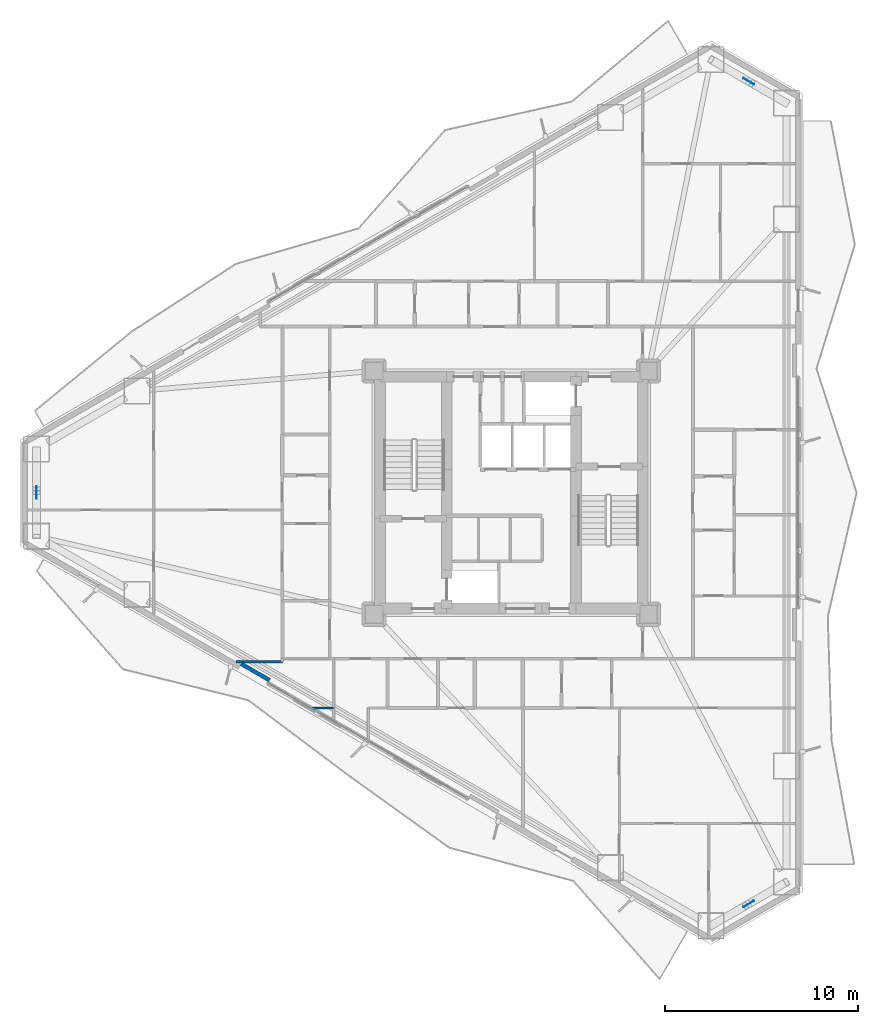
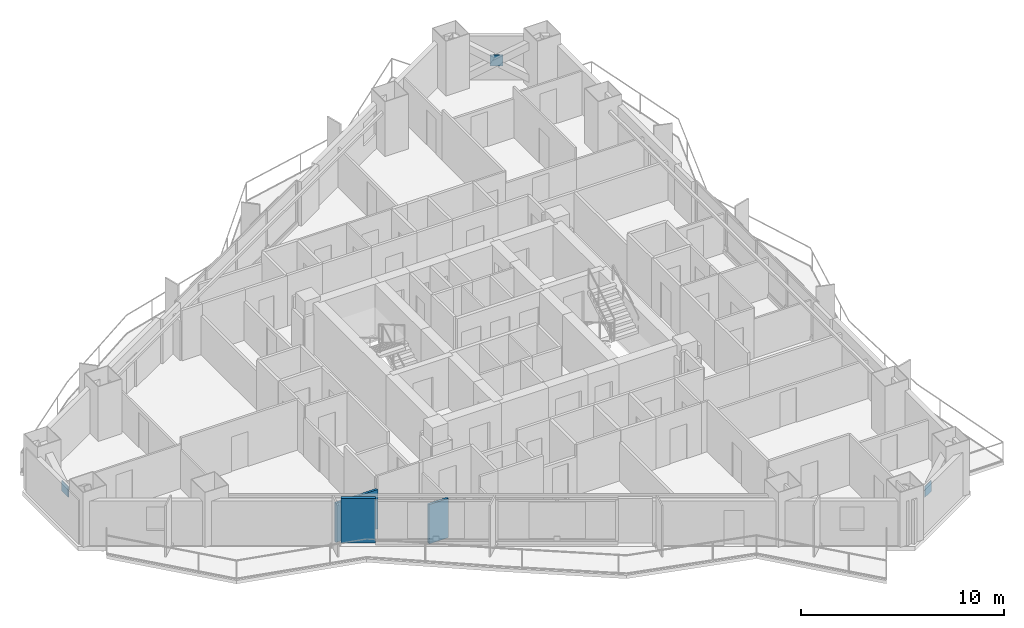
# One storey, part 11 of 19: 3 plates, 3 walls.
"""IFC4 building model written with IfcOpenShell, lengths in metres."""

import ifcopenshell
import ifcopenshell.guid

model = None  # the IFC model being written
_history = None  # IfcOwnerHistory: only IFC2X3 demands one
_inside = {}  # id of a spatial element -> (the spatial element, [elements in it])
_under = {}  # id of a project, library or spatial element -> (it, [spatial elements below it])
_declared = {}  # id of a project -> (the project, [libraries it declares])
_typed = {}  # id of a type object -> (the type object, [elements of that type])
_made_of = {}  # id of a material, layer set ... -> (it, [elements and type objects made of it])


def new_model(schema):
    """Start an empty IFC model of exactly this schema.

    Asked for "IFC4X3", IfcOpenShell would pick the latest addendum, in which some entities
    have other attributes; the version numbers below select the first issue.
    IFC2X3 requires an IfcOwnerHistory on every rooted entity: one is made here for all.
    """
    global model, _history
    if schema == "IFC4X3":
        model = ifcopenshell.file(schema_version=(4, 3, 0, 0))
    else:
        model = ifcopenshell.file(schema=schema)
    _inside.clear()
    _under.clear()
    _declared.clear()
    _typed.clear()
    _made_of.clear()
    _history = None
    if model.schema == "IFC2X3":
        org = make("IfcOrganization", Name="unknown")
        user = make(
            "IfcPersonAndOrganization",
            ThePerson=make("IfcPerson", FamilyName="unknown"),
            TheOrganization=org,
        )
        app = make(
            "IfcApplication",
            ApplicationDeveloper=org,
            Version="unknown",
            ApplicationFullName="unknown",
            ApplicationIdentifier="unknown",
        )
        _history = make(
            "IfcOwnerHistory",
            OwningUser=user,
            OwningApplication=app,
            ChangeAction="ADDED",
            CreationDate=0,
        )
    return model


def make(cls, **values):
    """One entity of the class cls with the attributes given. An attribute that is None is left unset."""
    return model.create_entity(
        cls, **{name: value for name, value in values.items() if value is not None}
    )


def rooted(cls, **values):
    """An entity with a GlobalId (a new one), such as an element, a storey or a relation."""
    return make(cls, GlobalId=ifcopenshell.guid.new(), OwnerHistory=_history, **values)


def si_unit(unit_type, name, prefix=None):
    """IfcSIUnit, for example si_unit("LENGTHUNIT", "METRE", prefix="MILLI")."""
    return make("IfcSIUnit", UnitType=unit_type, Prefix=prefix, Name=name)


def assignment(units):
    """IfcUnitAssignment: the units of a project."""
    return None if units is None else make("IfcUnitAssignment", Units=units)


def point(xyz):
    """IfcCartesianPoint."""
    return None if xyz is None else make("IfcCartesianPoint", Coordinates=xyz)


def direction(xyz):
    """IfcDirection."""
    return None if xyz is None else make("IfcDirection", DirectionRatios=xyz)


def frame(location, z_axis=None, x_axis=None):
    """IfcAxis2Placement3D, a coordinate frame: its origin and axes. An axis left out is left unset."""
    return make(
        "IfcAxis2Placement3D",
        Location=point(location),
        Axis=direction(z_axis),
        RefDirection=direction(x_axis),
    )


def frame_2d(location, x_axis=None):
    """IfcAxis2Placement2D, a coordinate frame in the plane: its origin and x axis."""
    return make(
        "IfcAxis2Placement2D", Location=point(location), RefDirection=direction(x_axis)
    )


def origin():
    """The frame at (0, 0, 0) with its axes left unset."""
    return frame((0.0, 0.0, 0.0))


def origin_2d():
    """The frame at (0, 0) in the plane with its x axis left unset."""
    return frame_2d((0.0, 0.0))


def place(relative_to, where):
    """IfcLocalPlacement: puts the frame where relative to a parent placement (None: the world)."""
    return make(
        "IfcLocalPlacement", PlacementRelTo=relative_to, RelativePlacement=where
    )


def context(
    kind, dimensions, precision=None, world=None, true_north=None, identifier=None
):
    """IfcGeometricRepresentationContext, for example the 3D "Model" context."""
    return make(
        "IfcGeometricRepresentationContext",
        ContextIdentifier=identifier,
        ContextType=kind,
        CoordinateSpaceDimension=dimensions,
        Precision=precision,
        WorldCoordinateSystem=world,
        TrueNorth=true_north,
    )


def subcontext(parent, identifier, kind, view, scale=None):
    """IfcGeometricRepresentationSubContext, for example "Body" below "Model"."""
    return make(
        "IfcGeometricRepresentationSubContext",
        ContextIdentifier=identifier,
        ContextType=kind,
        ParentContext=parent,
        TargetScale=scale,
        TargetView=view,
    )


def project(units=None, contexts=None):
    """IfcProject with its units and contexts."""
    return rooted(
        "IfcProject",
        Name="project",
        RepresentationContexts=contexts,
        UnitsInContext=assignment(units),
    )


def spatial(cls, under=None, at=None, **own):
    """A site, building, storey or space (cls), placed at a placement, below another one or the project."""
    s = rooted(cls, ObjectPlacement=at, **own)
    if under is not None:
        _under.setdefault(under.id(), (under, []))[1].append(s)
    return s


def profile(cls, at=None, kind="AREA", **sizes):
    """A parametric profile (cls). Its sizes go by their IFC names, for example OverallWidth=200.0."""
    return make(cls, ProfileType=kind, Position=at, **sizes)


def rectangle(**sizes):
    """IfcRectangleProfileDef."""
    return profile("IfcRectangleProfileDef", **sizes)


def extrude(swept, where, along, depth):
    """IfcExtrudedAreaSolid: the profile swept, set in the frame where, extruded along a direction by depth."""
    return make(
        "IfcExtrudedAreaSolid",
        SweptArea=swept,
        Position=where,
        ExtrudedDirection=direction(along),
        Depth=depth,
    )


def shape(context_of_items, identifier, shape_type, items):
    """IfcShapeRepresentation: the items that make up one representation, for example the "Body"."""
    return make(
        "IfcShapeRepresentation",
        ContextOfItems=context_of_items,
        RepresentationIdentifier=identifier,
        RepresentationType=shape_type,
        Items=items,
    )


def material(Name=None, Category=None):
    """IfcMaterial."""
    return make("IfcMaterial", Name=Name, Category=Category)


def layer(
    of_material, thickness, ventilated=None, Name=None, Category=None, Priority=None
):
    """IfcMaterialLayer: one layer of a wall or slab, of a material (None: an air gap)."""
    return make(
        "IfcMaterialLayer",
        Material=of_material,
        LayerThickness=thickness,
        IsVentilated=ventilated,
        Name=Name,
        Category=Category,
        Priority=Priority,
    )


def layer_set(layers, Name=None):
    """IfcMaterialLayerSet."""
    return make("IfcMaterialLayerSet", MaterialLayers=layers, LayerSetName=Name)


def made_of(thing, what):
    """Note that an element or type object is made of a material, layer set ...; save() writes the relation."""
    if what is not None:
        _made_of.setdefault(what.id(), (what, []))[1].append(thing)
    return thing


def type_object(cls, material=None, **own):
    """A type object (cls), such as IfcWallType, which elements share."""
    return made_of(rooted(cls, **own), material)


def element(
    cls,
    number,
    at=None,
    inside=None,
    cuts=None,
    type_object=None,
    material=None,
    context=None,
    identifier="Body",
    shape_type=None,
    held_by="IfcProductDefinitionShape",
    body=None,
    shapes=None,
    **own,
):
    """One element of the class cls, such as IfcWall. Its Tag is "e" and its number.

    at: its placement. inside: the storey or other place that contains it. cuts: it is an
    opening in that element (IfcRelVoidsElement). A single representation is given by context,
    identifier, shape_type and body (its items); several are given by shapes. held_by: the class
    of the entity that holds the representations. save() writes the other relations.
    """
    e = rooted(cls, Tag="e%d" % number, ObjectPlacement=at, **own)
    if body is not None:
        shapes = [shape(context, identifier, shape_type, body)]
    if shapes is not None:
        e.Representation = make(held_by, Representations=shapes)
    if inside is not None:
        _inside.setdefault(inside.id(), (inside, []))[1].append(e)
    if cuts is not None:
        rooted(
            "IfcRelVoidsElement", RelatingBuildingElement=cuts, RelatedOpeningElement=e
        )
    if type_object is not None:
        _typed.setdefault(type_object.id(), (type_object, []))[1].append(e)
    return made_of(e, material)


def aggregate(whole, parts):
    """IfcRelAggregates: a whole, such as a stair, and the parts it consists of."""
    return rooted("IfcRelAggregates", RelatingObject=whole, RelatedObjects=parts)


def save(model, path):
    """Write the relations noted so far, then the file.

    IfcRelAggregates (storeys below a building ...), IfcRelContainedInSpatialStructure (elements
    in a storey), IfcRelDefinesByType, IfcRelAssociatesMaterial and IfcRelDeclares: one each for
    every whole, place, type object, material and project.
    """
    for whole, parts in _under.values():
        aggregate(whole, parts)
    for where, things in _inside.values():
        rooted(
            "IfcRelContainedInSpatialStructure",
            RelatedElements=things,
            RelatingStructure=where,
        )
    for kind, things in _typed.values():
        rooted("IfcRelDefinesByType", RelatedObjects=things, RelatingType=kind)
    for what, things in _made_of.values():
        rooted("IfcRelAssociatesMaterial", RelatedObjects=things, RelatingMaterial=what)
    for by, libraries in _declared.values():
        rooted("IfcRelDeclares", RelatingContext=by, RelatedDefinitions=libraries)
    model.write(path)


model = new_model("IFC4")

# Units and contexts
model_context = context("Model", 3, precision=1e-05, world=origin(), true_north=direction((0.0, 1.0)))
body_context = subcontext(model_context, "Body", "Model", "MODEL_VIEW")
ifc_project = project(units=[si_unit("LENGTHUNIT", "METRE"), si_unit("AREAUNIT", "SQUARE_METRE"), si_unit("VOLUMEUNIT", "CUBIC_METRE"), si_unit("PLANEANGLEUNIT", "RADIAN"), si_unit("MASSUNIT", "GRAM", prefix="KILO")], contexts=[model_context])

# Site, building, storey
site_placement = place(None, origin())
site = spatial("IfcSite", under=ifc_project, at=site_placement, CompositionType="ELEMENT")
building_placement = place(site_placement, origin())
building = spatial("IfcBuilding", under=site, at=building_placement, Name="Mersakhor Tower and Convention Hall", CompositionType="ELEMENT")
storey_placement = place(building_placement, frame((0.0, 0.0, 22.5)))
storey = spatial("IfcBuildingStorey", under=building, at=storey_placement, Name="L05", CompositionType="ELEMENT", Elevation=22.5)

# Plates
ifc_material_1 = material(Name="Steel S460", Category="steel")
ifc_layer_1 = layer(ifc_material_1, 0.0400390625)
ifc_layer_set_1 = layer_set([ifc_layer_1], Name="Steel S460")
plate_type = type_object("IfcPlateType", Name="PL-GUSSET-40", PredefinedType="SHEET", material=ifc_layer_set_1)
for number, where, z_axis, x_axis, name in (
    (1, (41.29345703125, 48.04296875, 1.2001953125), (0.0, 0.0, 1.0), (-0.866025403784, 0.5, 0.0), "L05 X-Brace Crossing Gusset Node Plate"),
    (2, (41.29345703125, 5.45703125, 1.2001953125), (0.0, 0.0, 1.0), (0.866025403784, 0.5, 0.0), "L05 X-Brace Crossing Gusset Node Plate"),
    (3, (4.4130859375, 26.75, 1.2001953125), (0.0, 0.0, 1.0), (0.0, -1.0, 0.0), "L05 X-Brace Crossing Gusset Node Plate"),
):
    element("IfcPlate", number, at=place(storey_placement, frame(where, z_axis=z_axis, x_axis=x_axis)), inside=storey, type_object=plate_type, Name=name, PredefinedType="SHEET", context=body_context, shape_type="SweptSolid", body=[
        extrude(rectangle(XDim=0.639892578125, YDim=0.0400390625, at=origin_2d()), origin(), (0.0, 0.0, 1.0), 0.639892578125),
    ])

# Walls
ifc_material_2 = material(Name="Precast concrete C40/50", Category="concrete")
ifc_layer_2 = layer(ifc_material_2, 0.199951171875)
ifc_layer_set_2 = layer_set([ifc_layer_2], Name="Precast concrete C40/50")
wall_type_1 = type_object("IfcWallType", Name="WL-PAR-200", PredefinedType="PARAPET", material=ifc_layer_set_2)
wall_1_placement = place(storey_placement, frame((16.48046875, 17.038818359375, 0.0), z_axis=(0.0, 0.0, 1.0), x_axis=(-0.86605165483, 0.499954529098, 0.0)))
element("IfcWall", 4, at=wall_1_placement, inside=storey, type_object=wall_type_1, Name="L05 Column Pier Cladding Wall F3-C2", PredefinedType="PARAPET", context=body_context, shape_type="SweptSolid", body=[
    extrude(rectangle(XDim=1.699951171875, YDim=0.199951171875, at=frame_2d((0.85009765625, 0.0))), origin(), (0.0, 0.0, 1.0), 2.659912109375),
])
ifc_material_3 = material(Name="Gypsum board acoustic partition", Category="other")
ifc_layer_3 = layer(ifc_material_3, 0.125)
ifc_layer_set_3 = layer_set([ifc_layer_3], Name="Gypsum board acoustic partition")
wall_type_2 = type_object("IfcWallType", Name="WL-PRT-125", PredefinedType="PARTITIONING", material=ifc_layer_set_3)
wall_2_placement = place(storey_placement, frame((18.677734375, 15.60009765625, 0.0), z_axis=(0.0, 0.0, 1.0), x_axis=(1.0, 0.0, 0.0)))
element("IfcWall", 5, at=wall_2_placement, inside=storey, type_object=wall_type_2, Name="L05 Interior Partition Wall P-127", PredefinedType="PARTITIONING", context=body_context, shape_type="SweptSolid", body=[
    extrude(rectangle(XDim=1.122314453125, YDim=0.125, at=frame_2d((0.56103515625, 0.0))), origin(), (0.0, 0.0, 1.0), 2.364990234375),
])
wall_3_placement = place(storey_placement, frame((17.14990234375, 18.0, 0.0), z_axis=(0.0, 0.0, 1.0), x_axis=(-1.0, 0.0, 0.0)))
element("IfcWall", 6, at=wall_3_placement, inside=storey, type_object=wall_type_2, Name="L05 Interior Partition Wall P-143", PredefinedType="PARTITIONING", context=body_context, shape_type="SweptSolid", body=[
    extrude(rectangle(XDim=2.40087890625, YDim=0.125, at=frame_2d((1.200439453125, 0.0))), origin(), (0.0, 0.0, 1.0), 2.364990234375),
])

save(model, "model.ifc")
